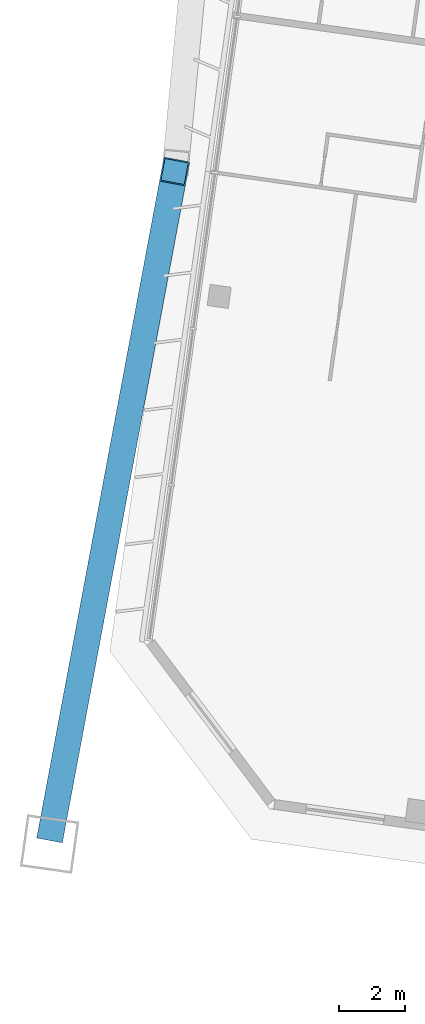
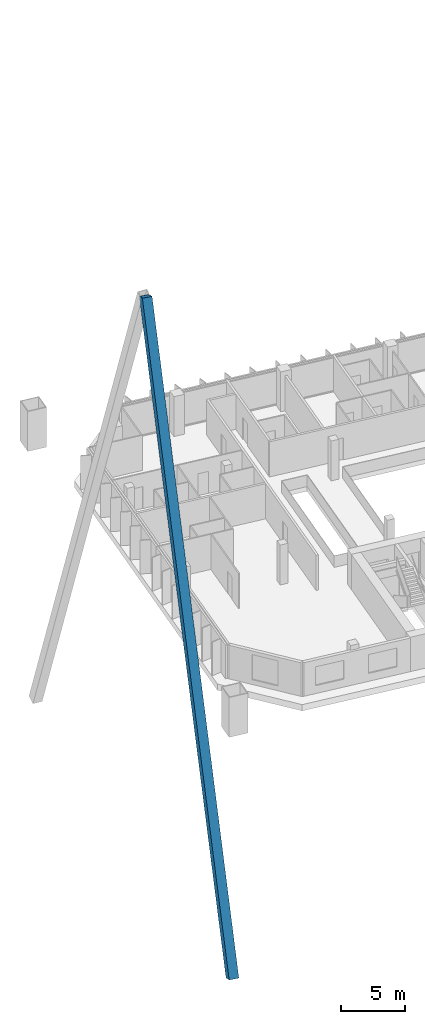
# One storey, part 3 of 33: 1 member.
"""IFC4 building model written with IfcOpenShell, lengths in metres."""

from ifc_helpers import new_model, si_unit, direction, frame, origin, origin_2d, place, context, subcontext, project, spatial, hollow_rectangle, extrude, material, material_profile, profile_set, type_object, element, save


model = new_model("IFC4")

# Units and contexts
model_context = context("Model", 3, precision=1e-05, world=origin(), true_north=direction((0.0, 1.0)))
body_context = subcontext(model_context, "Body", "Model", "MODEL_VIEW")
ifc_project = project(units=[si_unit("LENGTHUNIT", "METRE"), si_unit("AREAUNIT", "SQUARE_METRE"), si_unit("VOLUMEUNIT", "CUBIC_METRE"), si_unit("PLANEANGLEUNIT", "RADIAN"), si_unit("MASSUNIT", "GRAM", prefix="KILO")], contexts=[model_context])

# Site, building, storey
site_placement = place(None, origin())
site = spatial("IfcSite", under=ifc_project, at=site_placement, CompositionType="ELEMENT")
building_placement = place(site_placement, origin())
building = spatial("IfcBuilding", under=site, at=building_placement, Name="Mirante Cascada Hotel Towers", CompositionType="ELEMENT")
storey_placement = place(building_placement, frame((0.0, 0.0, 121.5)))
storey = spatial("IfcBuildingStorey", under=building, at=storey_placement, Name="L27", CompositionType="ELEMENT", Elevation=121.5)

# Member
ifc_material = material(Name="Steel ASTM A572 Gr 50", Category="steel")
ifc_material_profile = material_profile(ifc_material, hollow_rectangle(XDim=0.8, YDim=0.8, WallThickness=0.04, at=origin_2d()), Name="Box brace 800x800x40 ASTM A572 Gr 50")
ifc_profile_set = profile_set([ifc_material_profile], Name="Steel ASTM A572 Gr 50")
member_type = type_object("IfcMemberType", Name="Box brace 800x800x40 ASTM A572 Gr 50", PredefinedType="BRACE", material=ifc_profile_set)
member_placement = place(storey_placement, frame((-106.1359, -12.0234, -23.9841), z_axis=(0.0676509, 0.3618202, 0.92979), x_axis=(-0.9829657, 0.183789, 0.0)))
element("IfcMember", 1, at=member_placement, inside=storey, type_object=member_type, Name="brace T1 L27 1", PredefinedType="BRACE", context=body_context, shape_type="SweptSolid", body=[
    extrude(hollow_rectangle(XDim=0.8, YDim=0.8, WallThickness=0.04, at=origin_2d()), origin(), (0.0, 0.0, 1.0), 55.4286),
])

save(model, "model.ifc")
